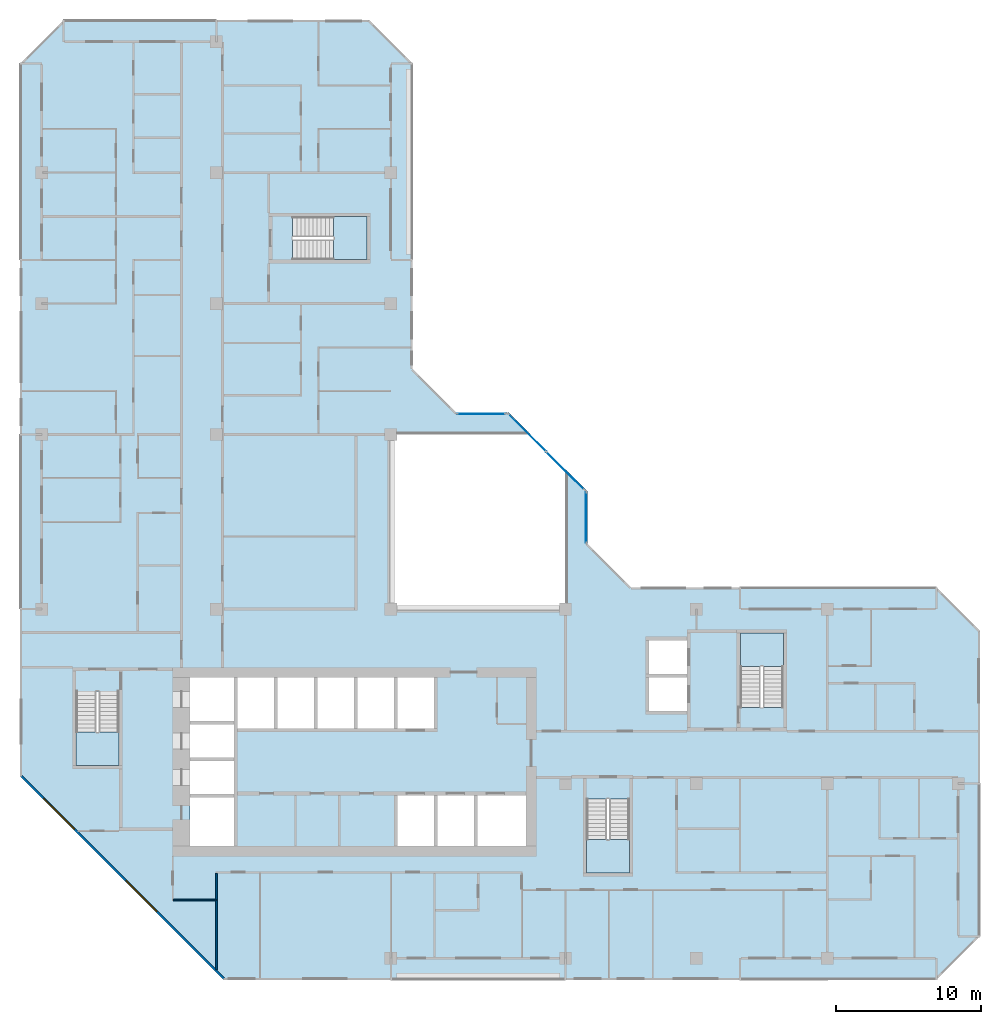
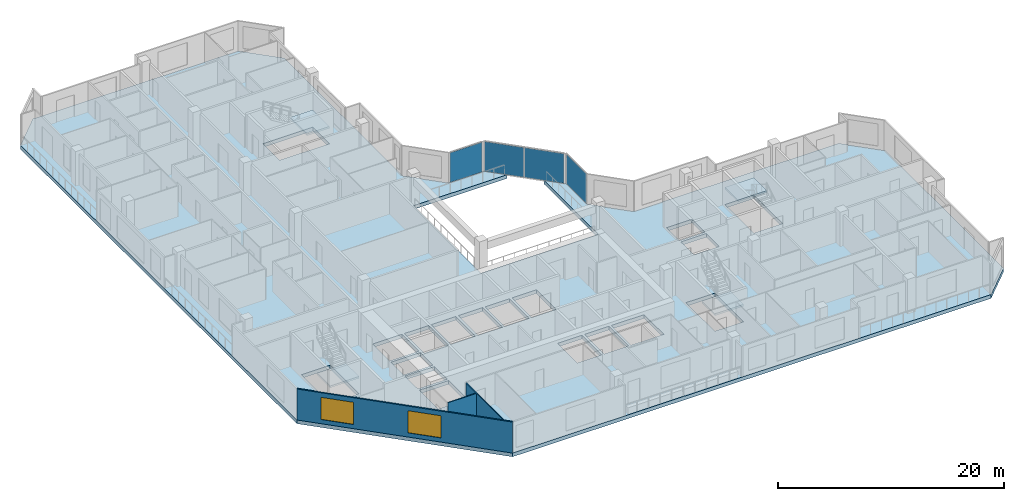
# One storey, part 3 of 14: 5 slabs, 4 plates, 3 walls, 2 windows, 2 openings, 7 elements without a shape of their own.
"""IFC4 building model written with IfcOpenShell, lengths in metres."""

from ifc_helpers import new_model, si_unit, direction, frame, frame_2d, origin, origin_2d, place, context, subcontext, project, spatial, polyline, rectangle, outline, extrude, material, layer, layer_set, type_object, element, fill, aggregate, save


model = new_model("IFC4")

# Units and contexts
model_context = context("Model", 3, precision=1e-05, world=origin(), true_north=direction((0.0, 1.0)))
body_context = subcontext(model_context, "Body", "Model", "MODEL_VIEW")
ifc_project = project(units=[si_unit("LENGTHUNIT", "METRE"), si_unit("AREAUNIT", "SQUARE_METRE"), si_unit("VOLUMEUNIT", "CUBIC_METRE"), si_unit("PLANEANGLEUNIT", "RADIAN"), si_unit("MASSUNIT", "GRAM", prefix="KILO")], contexts=[model_context])

# Site, building, storey
site_placement = place(None, origin())
site = spatial("IfcSite", under=ifc_project, at=site_placement, CompositionType="ELEMENT")
building_placement = place(site_placement, origin())
building = spatial("IfcBuilding", under=site, at=building_placement, Name="Chenar Terraces", CompositionType="ELEMENT")
storey_placement = place(building_placement, frame((0.0, 0.0, 237.89990234375)))
storey = spatial("IfcBuildingStorey", under=building, at=storey_placement, Name="L56", CompositionType="ELEMENT", Elevation=237.89990234375)

# Curtain wall, plate
ifc_material_1 = material(Name="Aluminium framed glazing", Category="aluminium")
ifc_layer_1 = layer(ifc_material_1, 0.14990234375)
ifc_layer_set_1 = layer_set([ifc_layer_1], Name="Aluminium framed glazing")
curtain_wall_type = type_object("IfcCurtainWallType", Name="Atrium mid-zone curtain wall", PredefinedType="NOTDEFINED", material=ifc_layer_set_1)
placement_1 = place(storey_placement, origin())
curtain_wall_1 = element("IfcCurtainWall", 1, at=placement_1, inside=storey, type_object=curtain_wall_type, Name="Atrium mid-zone curtain wall", PredefinedType="NOTDEFINED")
ifc_material_2 = material(Name="Low emissivity laminated glass, solar control coating", Category="glass")
ifc_layer_2 = layer(ifc_material_2, 0.031982421875)
ifc_layer_set_2 = layer_set([ifc_layer_2], Name="Low emissivity laminated glass, solar control coating")
plate_type = type_object("IfcPlateType", Name="Atrium mid-zone glazing panel 32", PredefinedType="CURTAIN_PANEL", material=ifc_layer_set_2)
plate_1_placement = place(storey_placement, frame((37.425048828125, 30.300048828125, 0.070068359375), z_axis=(0.0, 0.0, 1.0), x_axis=(0.0, 1.0, 0.0)))
plate_1 = element("IfcPlate", 2, at=plate_1_placement, type_object=plate_type, Name="CW7-1 panel 1.1", PredefinedType="CURTAIN_PANEL", context=body_context, shape_type="SweptSolid", body=[
    extrude(rectangle(XDim=3.4599609375, YDim=0.031982421875, at=origin_2d()), origin(), (0.0, 0.0, 1.0), 3.2099609375),
])
aggregate(curtain_wall_1, [plate_1])

# Curtain wall, plates
curtain_wall_2 = element("IfcCurtainWall", 3, at=placement_1, inside=storey, type_object=curtain_wall_type, Name="Atrium mid-zone curtain wall", PredefinedType="NOTDEFINED")
plate_2_placement = place(storey_placement, frame((35.978515625, 33.515380859375, 0.070068359375), z_axis=(0.0, 0.0, 1.0), x_axis=(-0.707106781187, 0.707106781187, 0.0)))
plate_2 = element("IfcPlate", 4, at=plate_2_placement, type_object=plate_type, Name="CW7-2 panel 1.1", PredefinedType="CURTAIN_PANEL", context=body_context, shape_type="SweptSolid", body=[
    extrude(rectangle(XDim=3.61328125, YDim=0.031982421875, at=origin_2d()), origin(), (0.0, 0.0, 1.0), 3.2099609375),
])
plate_3_placement = place(storey_placement, frame((33.3740234375, 36.119873046875, 0.070068359375), z_axis=(0.0, 0.0, 1.0), x_axis=(-0.707106781187, 0.707106781187, 0.0)))
plate_3 = element("IfcPlate", 5, at=plate_3_placement, type_object=plate_type, Name="CW7-2 panel 2.1", PredefinedType="CURTAIN_PANEL", context=body_context, shape_type="SweptSolid", body=[
    extrude(rectangle(XDim=3.61328125, YDim=0.031982421875, at=origin_2d()), origin(), (0.0, 0.0, 1.0), 3.2099609375),
])
aggregate(curtain_wall_2, [plate_2, plate_3])

# Curtain wall, plate
curtain_wall_3 = element("IfcCurtainWall", 6, at=placement_1, inside=storey, type_object=curtain_wall_type, Name="Atrium mid-zone curtain wall", PredefinedType="NOTDEFINED")
plate_4_placement = place(storey_placement, frame((30.199951171875, 37.425048828125, 0.070068359375), z_axis=(0.0, 0.0, 1.0), x_axis=(-1.0, 0.0, 0.0)))
plate_4 = element("IfcPlate", 7, at=plate_4_placement, type_object=plate_type, Name="CW7-3 panel 1.1", PredefinedType="CURTAIN_PANEL", context=body_context, shape_type="SweptSolid", body=[
    extrude(rectangle(XDim=3.260009765625, YDim=0.031982421875, at=origin_2d()), origin(), (0.0, 0.0, 1.0), 3.2099609375),
])
aggregate(curtain_wall_3, [plate_4])

# Stair, slab
ifc_material_3 = material(Name="Reinforced concrete C40/50", Category="concrete")
stair_type = type_object("IfcStairType", Name="Core stair 1400 half-turn", PredefinedType="HALF_TURN_STAIR", material=ifc_material_3)
stair_1 = element("IfcStair", 8, at=placement_1, inside=storey, type_object=stair_type, Name="L56 Stair 1", PredefinedType="HALF_TURN_STAIR")
ifc_material_4 = material(Name="Reinforced concrete C40/50", Category="concrete")
ifc_layer_3 = layer(ifc_material_4, 0.199951171875)
ifc_layer_set_3 = layer_set([ifc_layer_3], Name="Reinforced concrete C40/50")
slab_type_1 = type_object("IfcSlabType", Name="Core stair landing 200", PredefinedType="LANDING", material=ifc_layer_set_3)
placement_2 = place(storey_placement, frame((0.0, 0.0, 1.675048828125)))
slab_1 = element("IfcSlab", 9, at=placement_2, type_object=slab_type_1, Name="ST1 landing 1", PredefinedType="LANDING", context=body_context, shape_type="SweptSolid", body=[
    extrude(outline(polyline([(2.35009765625, 15.550048828125), (2.35009765625, 13.25), (5.300048828125, 13.25), (5.300048828125, 15.550048828125), (2.35009765625, 15.550048828125)])), origin(), (0.0, 0.0, 1.0), 0.199951171875),
])
aggregate(stair_1, [slab_1])

stair_2 = element("IfcStair", 10, at=placement_1, inside=storey, type_object=stair_type, Name="L56 Stair 2", PredefinedType="HALF_TURN_STAIR")
slab_2 = element("IfcSlab", 11, at=placement_2, type_object=slab_type_1, Name="ST2 landing 1", PredefinedType="LANDING", context=body_context, shape_type="SweptSolid", body=[
    extrude(outline(polyline([(37.449951171875, 8.14990234375), (37.449951171875, 5.85009765625), (40.39990234375, 5.85009765625), (40.39990234375, 8.14990234375), (37.449951171875, 8.14990234375)])), origin(), (0.0, 0.0, 1.0), 0.199951171875),
])
aggregate(stair_2, [slab_2])

stair_3 = element("IfcStair", 12, at=placement_1, inside=storey, type_object=stair_type, Name="L56 Stair 3", PredefinedType="HALF_TURN_STAIR")
slab_3 = element("IfcSlab", 13, at=placement_2, type_object=slab_type_1, Name="ST3 landing 1", PredefinedType="LANDING", context=body_context, shape_type="SweptSolid", body=[
    extrude(outline(polyline([(50.97509765625, 20.050048828125), (50.97509765625, 22.35009765625), (48.02490234375, 22.35009765625), (48.02490234375, 20.050048828125), (50.97509765625, 20.050048828125)])), origin(), (0.0, 0.0, 1.0), 0.199951171875),
])
aggregate(stair_3, [slab_3])

stair_4 = element("IfcStair", 14, at=placement_1, inside=storey, type_object=stair_type, Name="L56 Stair 4", PredefinedType="HALF_TURN_STAIR")
slab_4 = element("IfcSlab", 15, at=placement_2, type_object=slab_type_1, Name="ST4 landing 1", PredefinedType="LANDING", context=body_context, shape_type="SweptSolid", body=[
    extrude(outline(polyline([(20.050048828125, 48.02490234375), (22.35009765625, 48.02490234375), (22.35009765625, 50.97509765625), (20.050048828125, 50.97509765625), (20.050048828125, 48.02490234375)])), origin(), (0.0, 0.0, 1.0), 0.199951171875),
])
aggregate(stair_4, [slab_4])

# Slab
ifc_material_5 = material(Name="Concrete C40/50", Category="concrete")
ifc_layer_4 = layer(ifc_material_5, 0.39990234375)
ifc_layer_set_4 = layer_set([ifc_layer_4], Name="Concrete C40/50")
slab_type_2 = type_object("IfcSlabType", Name="Floor slab 400 Concrete C40/50", PredefinedType="FLOOR", material=ifc_layer_set_4)
slab_5_placement = place(storey_placement, frame((0.0, 0.0, -0.39990234375)))
element("IfcSlab", 16, at=slab_5_placement, inside=storey, type_object=slab_type_2, Name="Floor slab L56", PredefinedType="FLOOR", context=body_context, shape_type="SweptSolid", body=[
    extrude(outline(polyline([(64.5, 22.5), (64.5, 1.5), (61.5, -1.5), (12.5, -1.5), (-1.5, 12.5), (-1.5, 61.5), (1.5, 64.5), (22.5, 64.5), (25.5, 61.5), (25.5, 40.5), (28.5, 37.5), (32.10009765625, 37.5), (33.60009765625, 36.0), (24.0, 36.0), (24.0, 24.0), (36.0, 24.0), (36.0, 33.60009765625), (37.5, 32.10009765625), (37.5, 28.5), (40.5, 25.5), (61.5, 25.5), (64.5, 22.5)]), holes=[polyline([(13.199951171875, 11.050048828125), (10.199951171875, 11.050048828125), (10.199951171875, 7.699951171875), (13.199951171875, 7.699951171875), (13.199951171875, 11.050048828125)]), polyline([(13.199951171875, 13.550048828125), (10.199951171875, 13.550048828125), (10.199951171875, 11.300048828125), (13.199951171875, 11.300048828125), (13.199951171875, 13.550048828125)]), polyline([(13.199951171875, 16.050048828125), (10.199951171875, 16.050048828125), (10.199951171875, 13.800048828125), (13.199951171875, 13.800048828125), (13.199951171875, 16.050048828125)]), polyline([(2.35009765625, 13.25), (5.300048828125, 13.25), (5.300048828125, 18.35009765625), (2.35009765625, 18.35009765625), (2.35009765625, 13.25)]), polyline([(15.949951171875, 19.300048828125), (13.449951171875, 19.300048828125), (13.449951171875, 15.800048828125), (15.949951171875, 15.800048828125), (15.949951171875, 19.300048828125)]), polyline([(18.699951171875, 19.300048828125), (16.199951171875, 19.300048828125), (16.199951171875, 15.800048828125), (18.699951171875, 15.800048828125), (18.699951171875, 19.300048828125)]), polyline([(21.449951171875, 19.300048828125), (18.949951171875, 19.300048828125), (18.949951171875, 15.800048828125), (21.449951171875, 15.800048828125), (21.449951171875, 19.300048828125)]), polyline([(24.199951171875, 15.800048828125), (24.199951171875, 19.300048828125), (21.699951171875, 19.300048828125), (21.699951171875, 15.800048828125), (24.199951171875, 15.800048828125)]), polyline([(13.199951171875, 16.300048828125), (13.199951171875, 19.300048828125), (10.199951171875, 19.300048828125), (10.199951171875, 16.300048828125), (13.199951171875, 16.300048828125)]), polyline([(22.35009765625, 48.02490234375), (22.35009765625, 50.97509765625), (17.25, 50.97509765625), (17.25, 48.02490234375), (22.35009765625, 48.02490234375)]), polyline([(37.449951171875, 5.85009765625), (40.39990234375, 5.85009765625), (40.39990234375, 10.949951171875), (37.449951171875, 10.949951171875), (37.449951171875, 5.85009765625)]), polyline([(26.949951171875, 11.199951171875), (24.449951171875, 11.199951171875), (24.449951171875, 7.699951171875), (26.949951171875, 7.699951171875), (26.949951171875, 11.199951171875)]), polyline([(29.699951171875, 7.699951171875), (29.699951171875, 11.199951171875), (27.199951171875, 11.199951171875), (27.199951171875, 7.699951171875), (29.699951171875, 7.699951171875)]), polyline([(33.300048828125, 7.699951171875), (33.300048828125, 11.199951171875), (29.949951171875, 11.199951171875), (29.949951171875, 7.699951171875), (33.300048828125, 7.699951171875)]), polyline([(26.949951171875, 19.300048828125), (24.449951171875, 19.300048828125), (24.449951171875, 15.800048828125), (26.949951171875, 15.800048828125), (26.949951171875, 19.300048828125)]), polyline([(44.35009765625, 19.300048828125), (41.75, 19.300048828125), (41.75, 17.0), (44.35009765625, 17.0), (44.35009765625, 19.300048828125)]), polyline([(50.97509765625, 22.35009765625), (48.02490234375, 22.35009765625), (48.02490234375, 17.25), (50.97509765625, 17.25), (50.97509765625, 22.35009765625)]), polyline([(44.35009765625, 19.550048828125), (44.35009765625, 21.85009765625), (41.75, 21.85009765625), (41.75, 19.550048828125), (44.35009765625, 19.550048828125)])]), origin(), (0.0, 0.0, 1.0), 0.39990234375),
])

# Walls
ifc_material_6 = material(Name="Gypsum board on steel studs", Category="steel")
ifc_layer_5 = layer(ifc_material_6, 0.10009765625)
ifc_layer_set_5 = layer_set([ifc_layer_5], Name="Gypsum board on steel studs")
wall_type_1 = type_object("IfcWallType", Name="Gypsum partition 100", PredefinedType="PARTITIONING", material=ifc_layer_set_5)
wall_1_placement = place(storey_placement, frame((9.050048828125, 4.0, 0.0), z_axis=(0.0, 0.0, 1.0), x_axis=(1.0, 0.0, 0.0)))
element("IfcWall", 17, at=wall_1_placement, inside=storey, type_object=wall_type_1, Name="Partition L56-032", PredefinedType="PARTITIONING", context=body_context, shape_type="SweptSolid", body=[
    extrude(rectangle(XDim=2.89990234375, YDim=0.10009765625, at=frame_2d((1.449951171875, 0.0))), origin(), (0.0, 0.0, 1.0), 3.35009765625),
])
wall_2_placement = place(storey_placement, frame((12.0, -0.787841796875, 0.0), z_axis=(0.0, 0.0, 1.0), x_axis=(0.0, 1.0, 0.0)))
element("IfcWall", 18, at=wall_2_placement, inside=storey, type_object=wall_type_1, Name="Partition L56-035", PredefinedType="PARTITIONING", context=body_context, shape_type="SweptSolid", body=[
    extrude(rectangle(XDim=6.61279296875, YDim=0.10009765625, at=frame_2d((3.306396484375, 0.0))), origin(), (0.0, 0.0, 1.0), 3.35009765625),
])

# Wall, openings, windows
ifc_material_7 = material(Name="Terracotta cladding on insulated backing", Category="masonry")
ifc_layer_6 = layer(ifc_material_7, 0.14990234375)
ifc_layer_set_6 = layer_set([ifc_layer_6], Name="Terracotta cladding on insulated backing")
wall_type_2 = type_object("IfcWallType", Name="Terracotta rainscreen wall 150", PredefinedType="SOLIDWALL", material=ifc_layer_set_6)
wall_3_placement = place(storey_placement, frame((-1.447021484375, 12.552978515625, 0.0), z_axis=(0.0, 0.0, 1.0), x_axis=(0.707106781187, -0.707106781187, 0.0)))
wall_3 = element("IfcWall", 19, at=wall_3_placement, inside=storey, type_object=wall_type_2, Name="Terracotta rainscreen wall", PredefinedType="SOLIDWALL", context=body_context, shape_type="SweptSolid", body=[
    extrude(rectangle(XDim=19.799072265625, YDim=0.14990234375, at=frame_2d((9.8994140625, 0.0))), origin(), (0.0, 0.0, 1.0), 3.35009765625),
])
opening_1_placement = place(wall_3_placement, frame((2.21240234375, 0.0, 0.449951171875)))
opening_1 = element("IfcOpeningElement", 20, at=opening_1_placement, cuts=wall_3, Name="Opening W300x240", PredefinedType="OPENING", context=body_context, shape_type="SweptSolid", body=[
    extrude(rectangle(XDim=3.0, YDim=2.39990234375, at=frame_2d((1.5, 1.199951171875))), frame((0.0, 0.0849609375, 0.0), z_axis=(0.0, -1.0, 0.0), x_axis=(1.0, 0.0, 0.0)), (0.0, 0.0, 1.0), 0.169921875),
])
opening_2_placement = place(wall_3_placement, frame((10.215576171875, 0.0, 0.449951171875)))
opening_2 = element("IfcOpeningElement", 21, at=opening_2_placement, cuts=wall_3, Name="Opening W300x240", PredefinedType="OPENING", context=body_context, shape_type="SweptSolid", body=[
    extrude(rectangle(XDim=3.0, YDim=2.39990234375, at=frame_2d((1.5, 1.199951171875))), frame((0.0, 0.0849609375, 0.0), z_axis=(0.0, -1.0, 0.0), x_axis=(1.0, 0.0, 0.0)), (0.0, 0.0, 1.0), 0.169921875),
])
ifc_material_8 = material(Name="Low emissivity double glazing, aluminium frame", Category="aluminium")
window_type = type_object("IfcWindowType", Name="Fixed light 3000 x 2400", PartitioningType="SINGLE_PANEL", PredefinedType="WINDOW", material=ifc_material_8)
window_1_placement = place(opening_1_placement, origin())
window_1 = element("IfcWindow", 22, at=window_1_placement, inside=storey, type_object=window_type, Name="Window", OverallHeight=2.39990234375, OverallWidth=3.0, PartitioningType="SINGLE_PANEL", PredefinedType="WINDOW", context=body_context, shape_type="SweptSolid", body=[
    extrude(rectangle(XDim=3.0, YDim=2.39990234375, at=frame_2d((1.5, 1.199951171875))), frame((0.0, 0.030029296875, 0.0), z_axis=(0.0, -1.0, 0.0), x_axis=(1.0, 0.0, 0.0)), (0.0, 0.0, 1.0), 0.06005859375),
])
fill(opening_1, window_1)
window_2_placement = place(opening_2_placement, origin())
window_2 = element("IfcWindow", 23, at=window_2_placement, inside=storey, type_object=window_type, Name="Window", OverallHeight=2.39990234375, OverallWidth=3.0, PartitioningType="SINGLE_PANEL", PredefinedType="WINDOW", context=body_context, shape_type="SweptSolid", body=[
    extrude(rectangle(XDim=3.0, YDim=2.39990234375, at=frame_2d((1.5, 1.199951171875))), frame((0.0, 0.030029296875, 0.0), z_axis=(0.0, -1.0, 0.0), x_axis=(1.0, 0.0, 0.0)), (0.0, 0.0, 1.0), 0.06005859375),
])
fill(opening_2, window_2)

save(model, "model.ifc")
